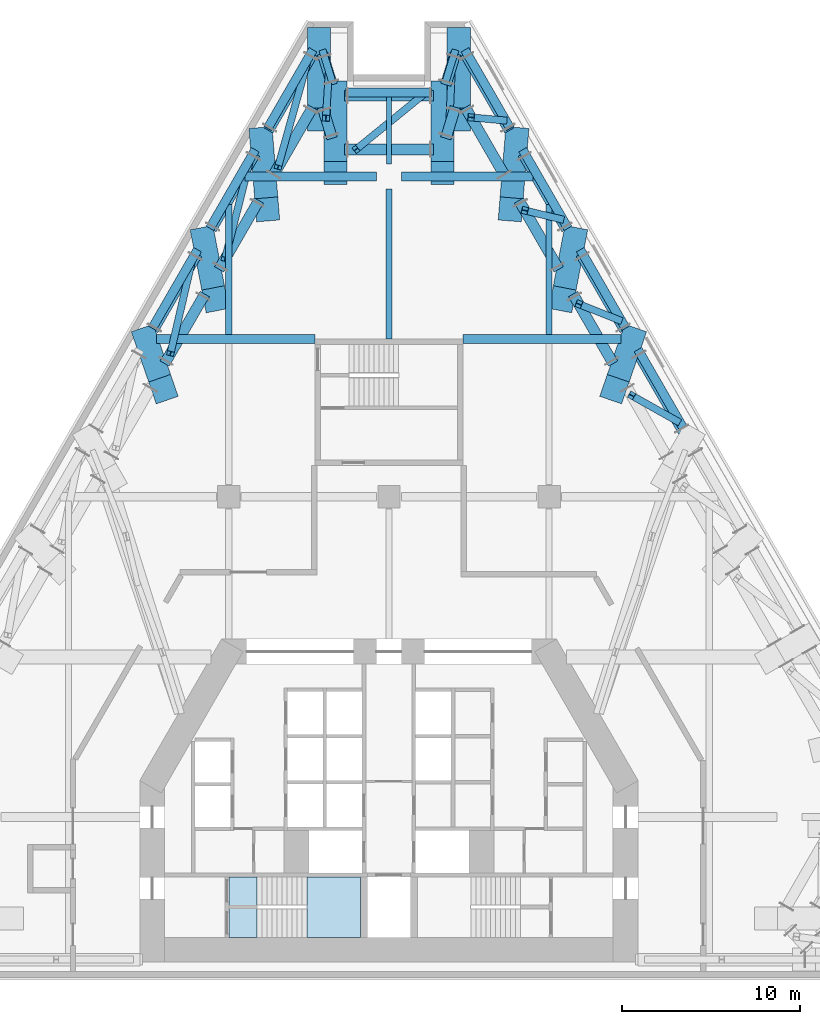
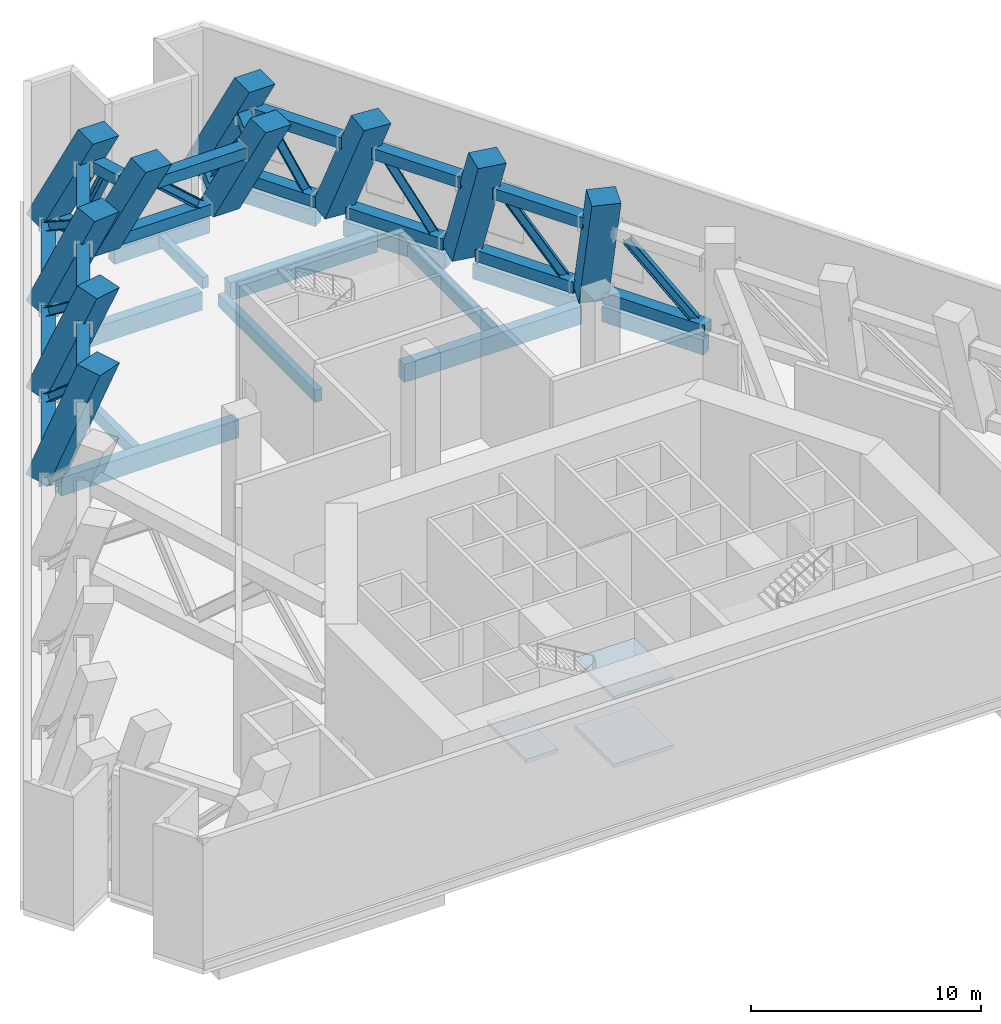
# One storey, part 3 of 12: 39 members, 18 beams, 3 slabs, 1 element without a shape of its own.
"""IFC4 building model written with IfcOpenShell, lengths in metres."""

from ifc_helpers import new_model, si_unit, direction, frame, origin, origin_2d, place, context, subcontext, project, spatial, polyline, rectangle, hollow_rectangle, i_section, outline, extrude, material, layer, layer_set, material_profile, profile_set, type_object, element, aggregate, save


model = new_model("IFC4")

# Units and contexts
model_context = context("Model", 3, precision=1e-05, world=origin(), true_north=direction((0.0, 1.0)))
body_context = subcontext(model_context, "Body", "Model", "MODEL_VIEW")
ifc_project = project(units=[si_unit("LENGTHUNIT", "METRE"), si_unit("AREAUNIT", "SQUARE_METRE"), si_unit("VOLUMEUNIT", "CUBIC_METRE"), si_unit("PLANEANGLEUNIT", "RADIAN"), si_unit("MASSUNIT", "GRAM", prefix="KILO")], contexts=[model_context])

# Site, building, storey
site_placement = place(None, origin())
site = spatial("IfcSite", under=ifc_project, at=site_placement, CompositionType="ELEMENT")
building_placement = place(site_placement, origin())
building = spatial("IfcBuilding", under=site, at=building_placement, Name="Fogline Exchange Tower", CompositionType="ELEMENT")
storey_placement = place(building_placement, frame((0.0, 0.0, 88.89990234375)))
storey = spatial("IfcBuildingStorey", under=building, at=storey_placement, Name="L19", CompositionType="ELEMENT", Elevation=88.89990234375)

# Beams
ifc_material_1 = material(Name="Concrete C40", Category="concrete")
ifc_material_profile_1 = material_profile(ifc_material_1, rectangle(XDim=0.300048828125, YDim=0.60009765625, at=origin_2d()), Name="RC 300x600")
ifc_profile_set_1 = profile_set([ifc_material_profile_1], Name="Concrete C40")
beam_type_1 = type_object("IfcBeamType", Name="B06", PredefinedType="BEAM", material=ifc_profile_set_1)
beam_1_placement = place(storey_placement, frame((0.0, 45.699951171875, -0.599853515625), z_axis=(0.0, 1.0, 0.0), x_axis=(-1.0, 0.0, 0.0)))
element("IfcBeam", 1, at=beam_1_placement, inside=storey, type_object=beam_type_1, Name="SB010", PredefinedType="BEAM", context=body_context, shape_type="SweptSolid", body=[
    extrude(rectangle(XDim=0.300048828125, YDim=0.60009765625, at=origin_2d()), origin(), (0.0, 0.0, 1.0), 3.76171875),
])
ifc_material_profile_2 = material_profile(ifc_material_1, rectangle(XDim=0.5, YDim=0.800048828125, at=origin_2d()), Name="RC 500x800")
ifc_profile_set_2 = profile_set([ifc_material_profile_2], Name="Concrete C40")
beam_type_2 = type_object("IfcBeamType", Name="B10", PredefinedType="BEAM", material=ifc_profile_set_2)
for number, where, z_axis, x_axis, name in (
    (2, (16.542724609375, 30.852783203125, -0.699951171875), (-0.499991921166, 0.866030068051, 0.0), (-0.866030068051, -0.499991921166, 0.0), "RB013"),
    (3, (13.301025390625, 36.467529296875, -0.699951171875), (-0.499991921166, 0.866030068051, 0.0), (-0.866030068051, -0.499991921166, 0.0), "RB014"),
    (4, (10.0595703125, 42.082275390625, -0.699951171875), (-0.499991921166, 0.866030068051, 0.0), (-0.866030068051, -0.499991921166, 0.0), "RB015"),
    (5, (6.81787109375, 47.697021484375, -0.699951171875), (-0.499991921166, 0.866030068051, 0.0), (-0.866030068051, -0.499991921166, 0.0), "RB016"),
):
    element("IfcBeam", number, at=place(storey_placement, frame(where, z_axis=z_axis, x_axis=x_axis)), inside=storey, type_object=beam_type_2, Name=name, PredefinedType="BEAM", context=body_context, shape_type="SweptSolid", body=[
        extrude(rectangle(XDim=0.5, YDim=0.800048828125, at=origin_2d()), origin(), (0.0, 0.0, 1.0), 5.09765625),
    ])
beam_2_placement = place(storey_placement, frame((2.39990234375, 49.711669921875, -0.699951171875), z_axis=(-1.0, 0.0, 0.0), x_axis=(0.0, -1.0, 0.0)))
element("IfcBeam", 6, at=beam_2_placement, inside=storey, type_object=beam_type_2, Name="RB018", PredefinedType="BEAM", context=body_context, shape_type="SweptSolid", body=[
    extrude(rectangle(XDim=0.5, YDim=0.800048828125, at=origin_2d()), origin(), (0.0, 0.0, 1.0), 4.7998046875),
])
for number, where, z_axis, x_axis, name in (
    (7, (-4.26904296875, 52.11181640625, -0.699951171875), (-0.499991921166, -0.866030068051, 0.0), (0.866030068051, -0.499991921166, 0.0), "RB020"),
    (8, (-7.5107421875, 46.4970703125, -0.699951171875), (-0.499991921166, -0.866030068051, 0.0), (0.866030068051, -0.499991921166, 0.0), "RB021"),
    (9, (-10.752197265625, 40.88232421875, -0.699951171875), (-0.499991921166, -0.866030068051, 0.0), (0.866030068051, -0.499991921166, 0.0), "RB022"),
):
    element("IfcBeam", number, at=place(storey_placement, frame(where, z_axis=z_axis, x_axis=x_axis)), inside=storey, type_object=beam_type_2, Name=name, PredefinedType="BEAM", context=body_context, shape_type="SweptSolid", body=[
        extrude(rectangle(XDim=0.5, YDim=0.800048828125, at=origin_2d()), origin(), (0.0, 0.0, 1.0), 5.09765625),
    ])
ifc_material_profile_3 = material_profile(ifc_material_1, rectangle(XDim=0.39990234375, YDim=0.60009765625, at=origin_2d()), Name="RC 400x600")
ifc_profile_set_3 = profile_set([ifc_material_profile_3], Name="Concrete C40")
beam_type_3 = type_object("IfcBeamType", Name="B11", PredefinedType="BEAM", material=ifc_profile_set_3)
for number, where, z_axis, x_axis, name in (
    (10, (3.738037109375, 52.11181640625, -0.599853515625), (-0.293894535925, -0.955837853275, 0.0), (0.955837853275, -0.293894535925, 0.0), "RB017"),
    (11, (-3.1845703125, 50.311767578125, -0.599853515625), (-0.293894535925, 0.955837853275, 0.0), (-0.955837853275, -0.293894535925, 0.0), "RB019"),
):
    element("IfcBeam", number, at=place(storey_placement, frame(where, z_axis=z_axis, x_axis=x_axis)), inside=storey, type_object=beam_type_3, Name=name, PredefinedType="BEAM", context=body_context, shape_type="SweptSolid", body=[
        extrude(rectangle(XDim=0.39990234375, YDim=0.60009765625, at=origin_2d()), origin(), (0.0, 0.0, 1.0), 1.88330078125),
    ])
ifc_material_profile_4 = material_profile(ifc_material_1, rectangle(XDim=0.5, YDim=0.949951171875, at=origin_2d()), Name="RC 500x950")
ifc_profile_set_4 = profile_set([ifc_material_profile_4], Name="Concrete C40")
beam_type_4 = type_object("IfcBeamType", Name="B14", PredefinedType="BEAM", material=ifc_profile_set_4)
for number, where, z_axis, x_axis, name in (
    (12, (-13.047607421875, 35.85693359375, -0.77490234375), (1.0, 0.0, 0.0), (0.0, 1.0, 0.0), "GB011"),
    (13, (4.14990234375, 35.85693359375, -0.77490234375), (1.0, 0.0, 0.0), (0.0, 1.0, 0.0), "GB012"),
):
    element("IfcBeam", number, at=place(storey_placement, frame(where, z_axis=z_axis, x_axis=x_axis)), inside=storey, type_object=beam_type_4, Name=name, PredefinedType="BEAM", context=body_context, shape_type="SweptSolid", body=[
        extrude(rectangle(XDim=0.5, YDim=0.949951171875, at=origin_2d()), origin(), (0.0, 0.0, 1.0), 8.897705078125),
    ])
for number, where, z_axis, x_axis, name in (
    (14, (-8.086181640625, 45.0, -0.77490234375), (1.0, 0.0, 0.0), (0.0, 1.0, 0.0), "GB013"),
    (15, (0.699951171875, 45.0, -0.77490234375), (1.0, 0.0, 0.0), (0.0, 1.0, 0.0), "GB014"),
):
    element("IfcBeam", number, at=place(storey_placement, frame(where, z_axis=z_axis, x_axis=x_axis)), inside=storey, type_object=beam_type_4, Name=name, PredefinedType="BEAM", context=body_context, shape_type="SweptSolid", body=[
        extrude(rectangle(XDim=0.5, YDim=0.949951171875, at=origin_2d()), origin(), (0.0, 0.0, 1.0), 7.38623046875),
    ])
ifc_material_profile_5 = material_profile(ifc_material_1, rectangle(XDim=0.35009765625, YDim=0.64990234375, at=origin_2d()), Name="RC 350x650")
ifc_profile_set_5 = profile_set([ifc_material_profile_5], Name="Concrete C40")
beam_type_5 = type_object("IfcBeamType", Name="B16", PredefinedType="BEAM", material=ifc_profile_set_5)
beam_3_placement = place(storey_placement, frame((-9.0, 36.10693359375, -0.625), z_axis=(0.0, 1.0, 0.0), x_axis=(-1.0, 0.0, 0.0)))
element("IfcBeam", 16, at=beam_3_placement, inside=storey, type_object=beam_type_5, Name="SB007", PredefinedType="BEAM", context=body_context, shape_type="SweptSolid", body=[
    extrude(rectangle(XDim=0.35009765625, YDim=0.64990234375, at=origin_2d()), origin(), (0.0, 0.0, 1.0), 7.310546875),
])
beam_4_placement = place(storey_placement, frame((0.0, 35.85693359375, -0.625), z_axis=(0.0, 1.0, 0.0), x_axis=(-1.0, 0.0, 0.0)))
element("IfcBeam", 17, at=beam_4_placement, inside=storey, type_object=beam_type_5, Name="SB009", PredefinedType="BEAM", context=body_context, shape_type="SweptSolid", body=[
    extrude(rectangle(XDim=0.35009765625, YDim=0.64990234375, at=origin_2d()), origin(), (0.0, 0.0, 1.0), 8.443115234375),
])
beam_5_placement = place(storey_placement, frame((9.0, 36.10693359375, -0.625), z_axis=(0.0, 1.0, 0.0), x_axis=(-1.0, 0.0, 0.0)))
element("IfcBeam", 18, at=beam_5_placement, inside=storey, type_object=beam_type_5, Name="SB013", PredefinedType="BEAM", context=body_context, shape_type="SweptSolid", body=[
    extrude(rectangle(XDim=0.35009765625, YDim=0.64990234375, at=origin_2d()), origin(), (0.0, 0.0, 1.0), 7.310546875),
])

# Members
ifc_material_2 = material(Name="Steel Q355B", Category="steel")
ifc_material_profile_6 = material_profile(ifc_material_2, hollow_rectangle(XDim=0.60009765625, YDim=0.60009765625, WallThickness=0.030029296875, at=origin_2d()), Name="BOX600X600X30")
ifc_profile_set_6 = profile_set([ifc_material_profile_6], Name="Steel Q355B")
member_type_1 = type_object("IfcMemberType", Name="M01", PredefinedType="CHORD", material=ifc_profile_set_6)
member_1_placement = place(storey_placement, frame((16.53466796875, 30.678955078125, 0.300048828125), z_axis=(-0.499986674824, 0.866033096941, 0.0), x_axis=(-0.866033096941, -0.499986674824, 0.0)))
element("IfcMember", 19, at=member_1_placement, inside=storey, type_object=member_type_1, Name="Belt truss chord BT12-1-BC", PredefinedType="CHORD", context=body_context, shape_type="SweptSolid", body=[
    extrude(hollow_rectangle(XDim=0.60009765625, YDim=0.60009765625, WallThickness=0.030029296875, at=origin_2d()), origin(), (0.0, 0.0, 1.0), 5.145751953125),
])
member_2_placement = place(storey_placement, frame((13.251953125, 36.36474609375, 0.300048828125), z_axis=(-0.4999903827, 0.866030956264, 0.0), x_axis=(-0.866030956264, -0.4999903827, 0.0)))
element("IfcMember", 20, at=member_2_placement, inside=storey, type_object=member_type_1, Name="Belt truss chord BT13-1-BC", PredefinedType="CHORD", context=body_context, shape_type="SweptSolid", body=[
    extrude(hollow_rectangle(XDim=0.60009765625, YDim=0.60009765625, WallThickness=0.030029296875, at=origin_2d()), origin(), (0.0, 0.0, 1.0), 4.94287109375),
])
member_3_placement = place(storey_placement, frame((12.60009765625, 34.483642578125, 5.10009765625), z_axis=(-0.500000588723, 0.866025063885, 0.0), x_axis=(-0.866025063885, -0.500000588723, 0.0)))
element("IfcMember", 21, at=member_3_placement, inside=storey, type_object=member_type_1, Name="Belt truss chord BT13-1-TC", PredefinedType="CHORD", context=body_context, shape_type="SweptSolid", body=[
    extrude(hollow_rectangle(XDim=0.60009765625, YDim=0.60009765625, WallThickness=0.030029296875, at=origin_2d()), origin(), (0.0, 0.0, 1.0), 4.50830078125),
])
member_4_placement = place(storey_placement, frame((9.97705078125, 42.037109375, 0.300048828125), z_axis=(-0.500002801628, 0.866023786258, 0.0), x_axis=(-0.866023786258, -0.500002801628, 0.0)))
element("IfcMember", 22, at=member_4_placement, inside=storey, type_object=member_type_1, Name="Belt truss chord BT14-1-BC", PredefinedType="CHORD", context=body_context, shape_type="SweptSolid", body=[
    extrude(hollow_rectangle(XDim=0.60009765625, YDim=0.60009765625, WallThickness=0.030029296875, at=origin_2d()), origin(), (0.0, 0.0, 1.0), 4.89990234375),
])
member_5_placement = place(storey_placement, frame((9.54248046875, 39.779541015625, 5.10009765625), z_axis=(-0.499990639951, 0.866030807744, 0.0), x_axis=(-0.866030807744, -0.499990639951, 0.0)))
element("IfcMember", 23, at=member_5_placement, inside=storey, type_object=member_type_1, Name="Belt truss chord BT14-1-TC", PredefinedType="CHORD", context=body_context, shape_type="SweptSolid", body=[
    extrude(hollow_rectangle(XDim=0.60009765625, YDim=0.60009765625, WallThickness=0.030029296875, at=origin_2d()), origin(), (0.0, 0.0, 1.0), 4.46533203125),
])
member_6_placement = place(storey_placement, frame((6.7744140625, 47.584228515625, 0.300048828125), z_axis=(-0.500018831924, 0.866014530895, 0.0), x_axis=(-0.866014530895, -0.500018831924, 0.0)))
element("IfcMember", 24, at=member_6_placement, inside=storey, type_object=member_type_1, Name="Belt truss chord BT15-1-BC", PredefinedType="CHORD", context=body_context, shape_type="SweptSolid", body=[
    extrude(hollow_rectangle(XDim=0.60009765625, YDim=0.60009765625, WallThickness=0.030029296875, at=origin_2d()), origin(), (0.0, 0.0, 1.0), 4.967529296875),
])
member_7_placement = place(storey_placement, frame((6.55712890625, 44.950439453125, 5.10009765625), z_axis=(-0.500008388397, 0.866020560687, 0.0), x_axis=(-0.866020560687, -0.500008388397, 0.0)))
element("IfcMember", 25, at=member_7_placement, inside=storey, type_object=member_type_1, Name="Belt truss chord BT15-1-TC", PredefinedType="CHORD", context=body_context, shape_type="SweptSolid", body=[
    extrude(hollow_rectangle(XDim=0.60009765625, YDim=0.60009765625, WallThickness=0.030029296875, at=origin_2d()), origin(), (0.0, 0.0, 1.0), 4.533203125),
])
for number, where, z_axis, x_axis, name in (
    (26, (3.730712890625, 51.899658203125, 0.300048828125), (-0.293926749473, -0.955827947878, 0.0), (0.955827947878, -0.293926749473, 0.0), "Belt truss chord BT16-1-BC"),
    (27, (3.730712890625, 48.8896484375, 5.10009765625), (-0.293926749473, -0.955827947878, 0.0), (0.955827947878, -0.293926749473, 0.0), "Belt truss chord BT16-1-TC"),
):
    element("IfcMember", number, at=place(storey_placement, frame(where, z_axis=z_axis, x_axis=x_axis)), inside=storey, type_object=member_type_1, Name=name, PredefinedType="CHORD", context=body_context, shape_type="SweptSolid", body=[
        extrude(hollow_rectangle(XDim=0.60009765625, YDim=0.60009765625, WallThickness=0.030029296875, at=origin_2d()), origin(), (0.0, 0.0, 1.0), 1.833251953125),
    ])
for number, where, z_axis, x_axis, name in (
    (28, (2.5, 49.5234375, 0.300048828125), (-1.0, 0.0, 0.0), (0.0, -1.0, 0.0), "Belt truss chord BT17-1-BC"),
    (29, (2.5, 46.513427734375, 5.10009765625), (-1.0, 0.0, 0.0), (0.0, -1.0, 0.0), "Belt truss chord BT17-1-TC"),
):
    element("IfcMember", number, at=place(storey_placement, frame(where, z_axis=z_axis, x_axis=x_axis)), inside=storey, type_object=member_type_1, Name=name, PredefinedType="CHORD", context=body_context, shape_type="SweptSolid", body=[
        extrude(hollow_rectangle(XDim=0.60009765625, YDim=0.60009765625, WallThickness=0.030029296875, at=origin_2d()), origin(), (0.0, 0.0, 1.0), 5.0),
    ])
for number, where, z_axis, x_axis, name in (
    (30, (-3.19189453125, 50.1474609375, 0.300048828125), (-0.293926749473, 0.955827947878, 0.0), (-0.955827947878, -0.293926749473, 0.0), "Belt truss chord BT18-1-BC"),
    (31, (-3.19189453125, 47.137451171875, 5.10009765625), (-0.293926749473, 0.955827947878, 0.0), (-0.955827947878, -0.293926749473, 0.0), "Belt truss chord BT18-1-TC"),
):
    element("IfcMember", number, at=place(storey_placement, frame(where, z_axis=z_axis, x_axis=x_axis)), inside=storey, type_object=member_type_1, Name=name, PredefinedType="CHORD", context=body_context, shape_type="SweptSolid", body=[
        extrude(hollow_rectangle(XDim=0.60009765625, YDim=0.60009765625, WallThickness=0.030029296875, at=origin_2d()), origin(), (0.0, 0.0, 1.0), 1.833251953125),
    ])
member_8_placement = place(storey_placement, frame((-4.29052734375, 51.88623046875, 0.300048828125), z_axis=(-0.500018831924, -0.866014530895, 0.0), x_axis=(0.866014530895, -0.500018831924, 0.0)))
element("IfcMember", 32, at=member_8_placement, inside=storey, type_object=member_type_1, Name="Belt truss chord BT19-1-BC", PredefinedType="CHORD", context=body_context, shape_type="SweptSolid", body=[
    extrude(hollow_rectangle(XDim=0.60009765625, YDim=0.60009765625, WallThickness=0.030029296875, at=origin_2d()), origin(), (0.0, 0.0, 1.0), 4.967529296875),
])
member_9_placement = place(storey_placement, frame((-4.29052734375, 48.876220703125, 5.10009765625), z_axis=(-0.500008388397, -0.866020560687, 0.0), x_axis=(0.866020560687, -0.500008388397, 0.0)))
element("IfcMember", 33, at=member_9_placement, inside=storey, type_object=member_type_1, Name="Belt truss chord BT19-1-TC", PredefinedType="CHORD", context=body_context, shape_type="SweptSolid", body=[
    extrude(hollow_rectangle(XDim=0.60009765625, YDim=0.60009765625, WallThickness=0.030029296875, at=origin_2d()), origin(), (0.0, 0.0, 1.0), 4.533203125),
])
member_10_placement = place(storey_placement, frame((-7.527099609375, 46.280517578125, 0.300048828125), z_axis=(-0.500002801628, -0.866023786258, 0.0), x_axis=(0.866023786258, -0.500002801628, 0.0)))
element("IfcMember", 34, at=member_10_placement, inside=storey, type_object=member_type_1, Name="Belt truss chord BT20-1-BC", PredefinedType="CHORD", context=body_context, shape_type="SweptSolid", body=[
    extrude(hollow_rectangle(XDim=0.60009765625, YDim=0.60009765625, WallThickness=0.030029296875, at=origin_2d()), origin(), (0.0, 0.0, 1.0), 4.89990234375),
])
member_11_placement = place(storey_placement, frame((-7.309814453125, 43.646728515625, 5.10009765625), z_axis=(-0.499990639951, -0.866030807744, 0.0), x_axis=(0.866030807744, -0.499990639951, 0.0)))
element("IfcMember", 35, at=member_11_placement, inside=storey, type_object=member_type_1, Name="Belt truss chord BT20-1-TC", PredefinedType="CHORD", context=body_context, shape_type="SweptSolid", body=[
    extrude(hollow_rectangle(XDim=0.60009765625, YDim=0.60009765625, WallThickness=0.030029296875, at=origin_2d()), origin(), (0.0, 0.0, 1.0), 4.46533203125),
])
member_12_placement = place(storey_placement, frame((-10.780517578125, 40.6455078125, 0.300048828125), z_axis=(-0.4999903827, -0.866030956264, 0.0), x_axis=(0.866030956264, -0.4999903827, 0.0)))
element("IfcMember", 36, at=member_12_placement, inside=storey, type_object=member_type_1, Name="Belt truss chord BT21-1-BC", PredefinedType="CHORD", context=body_context, shape_type="SweptSolid", body=[
    extrude(hollow_rectangle(XDim=0.60009765625, YDim=0.60009765625, WallThickness=0.030029296875, at=origin_2d()), origin(), (0.0, 0.0, 1.0), 4.94287109375),
])
member_13_placement = place(storey_placement, frame((-10.345947265625, 38.387939453125, 5.10009765625), z_axis=(-0.500000588723, -0.866025063885, 0.0), x_axis=(0.866025063885, -0.500000588723, 0.0)))
element("IfcMember", 37, at=member_13_placement, inside=storey, type_object=member_type_1, Name="Belt truss chord BT21-1-TC", PredefinedType="CHORD", context=body_context, shape_type="SweptSolid", body=[
    extrude(hollow_rectangle(XDim=0.60009765625, YDim=0.60009765625, WallThickness=0.030029296875, at=origin_2d()), origin(), (0.0, 0.0, 1.0), 4.50830078125),
])
ifc_material_profile_7 = material_profile(ifc_material_2, i_section(OverallWidth=0.39990234375, OverallDepth=0.39990234375, WebThickness=0.012939453125, FlangeThickness=0.02099609375, FilletRadius=0.02197265625, at=origin_2d()), Name="HW400X400X13X21")
ifc_profile_set_7 = profile_set([ifc_material_profile_7], Name="Steel Q355B")
member_type_2 = type_object("IfcMemberType", Name="M02", PredefinedType="BRACE", material=ifc_profile_set_7)
member_14_placement = place(storey_placement, frame((16.209716796875, 31.241943359375, 0.60009765625), z_axis=(-0.501396702831, 0.28221987749, 0.817895645629), x_axis=(-0.490504458213, -0.871438681993, 0.0)))
element("IfcMember", 38, at=member_14_placement, inside=storey, type_object=member_type_2, Name="Belt truss diagonal BT12-1-D1", PredefinedType="BRACE", context=body_context, shape_type="SweptSolid", body=[
    extrude(i_section(OverallWidth=0.39990234375, OverallDepth=0.39990234375, WebThickness=0.012939453125, FlangeThickness=0.02099609375, FilletRadius=0.02197265625, at=origin_2d()), origin(), (0.0, 0.0, 1.0), 5.135009765625),
])
member_15_placement = place(storey_placement, frame((12.927001953125, 36.927734375, 0.60009765625), z_axis=(-0.465056475133, 0.184945627758, 0.865746839272), x_axis=(-0.369534892477, -0.929216854799, 0.0)))
element("IfcMember", 39, at=member_15_placement, inside=storey, type_object=member_type_2, Name="Belt truss diagonal BT13-1-D1", PredefinedType="BRACE", context=body_context, shape_type="SweptSolid", body=[
    extrude(i_section(OverallWidth=0.39990234375, OverallDepth=0.39990234375, WebThickness=0.012939453125, FlangeThickness=0.02099609375, FilletRadius=0.02197265625, at=origin_2d()), origin(), (0.0, 0.0, 1.0), 4.851318359375),
])
member_16_placement = place(storey_placement, frame((9.652099609375, 42.599853515625, 0.60009765625), z_axis=(-0.430649331376, 0.103349585395, 0.896582409254), x_axis=(-0.233359599948, -0.97239050649, 0.0)))
element("IfcMember", 40, at=member_16_placement, inside=storey, type_object=member_type_2, Name="Belt truss diagonal BT14-1-D1", PredefinedType="BRACE", context=body_context, shape_type="SweptSolid", body=[
    extrude(i_section(OverallWidth=0.39990234375, OverallDepth=0.39990234375, WebThickness=0.012939453125, FlangeThickness=0.02099609375, FilletRadius=0.02197265625, at=origin_2d()), origin(), (0.0, 0.0, 1.0), 4.684326171875),
])
member_17_placement = place(storey_placement, frame((6.449462890625, 48.147216796875, 0.60009765625), z_axis=(-0.399916466295, 0.03620117107, 0.915836391065), x_axis=(-0.090153218476, -0.995927907631, 0.0)))
element("IfcMember", 41, at=member_17_placement, inside=storey, type_object=member_type_2, Name="Belt truss diagonal BT15-1-D1", PredefinedType="BRACE", context=body_context, shape_type="SweptSolid", body=[
    extrude(i_section(OverallWidth=0.39990234375, OverallDepth=0.39990234375, WebThickness=0.012939453125, FlangeThickness=0.02099609375, FilletRadius=0.02197265625, at=origin_2d()), origin(), (0.0, 0.0, 1.0), 4.5859375),
])
member_18_placement = place(storey_placement, frame((3.539794921875, 51.2783203125, 0.60009765625), z_axis=(-0.028636448162, -0.642026495647, 0.766147461475), x_axis=(0.999006758199, -0.044558916865, 0.0)))
element("IfcMember", 42, at=member_18_placement, inside=storey, type_object=member_type_2, Name="Belt truss diagonal BT16-1-D1", PredefinedType="BRACE", context=body_context, shape_type="SweptSolid", body=[
    extrude(i_section(OverallWidth=0.39990234375, OverallDepth=0.39990234375, WebThickness=0.012939453125, FlangeThickness=0.02099609375, FilletRadius=0.02197265625, at=origin_2d()), origin(), (0.0, 0.0, 1.0), 5.48193359375),
])
member_19_placement = place(storey_placement, frame((1.85009765625, 49.5234375, 0.60009765625), z_axis=(-0.582212201764, -0.473614029793, 0.660846958758), x_axis=(0.631047271441, -0.775744378779, 0.0)))
element("IfcMember", 43, at=member_19_placement, inside=storey, type_object=member_type_2, Name="Belt truss diagonal BT17-1-D1", PredefinedType="BRACE", context=body_context, shape_type="SweptSolid", body=[
    extrude(i_section(OverallWidth=0.39990234375, OverallDepth=0.39990234375, WebThickness=0.012939453125, FlangeThickness=0.02099609375, FilletRadius=0.02197265625, at=origin_2d()), origin(), (0.0, 0.0, 1.0), 6.35546875),
])
member_20_placement = place(storey_placement, frame((-3.3828125, 50.768798828125, 0.60009765625), z_axis=(-0.032099674179, -0.511298387154, 0.858803569049), x_axis=(0.998035097891, -0.06265734895, 0.0)))
element("IfcMember", 44, at=member_20_placement, inside=storey, type_object=member_type_2, Name="Belt truss diagonal BT18-1-D1", PredefinedType="BRACE", context=body_context, shape_type="SweptSolid", body=[
    extrude(i_section(OverallWidth=0.39990234375, OverallDepth=0.39990234375, WebThickness=0.012939453125, FlangeThickness=0.02099609375, FilletRadius=0.02197265625, at=origin_2d()), origin(), (0.0, 0.0, 1.0), 4.890380859375),
])
member_21_placement = place(storey_placement, frame((-4.615478515625, 51.3232421875, 0.60009765625), z_axis=(-0.219990129669, -0.790562536355, 0.571502597509), x_axis=(0.9633954292, -0.268084402747, 0.0)))
element("IfcMember", 45, at=member_21_placement, inside=storey, type_object=member_type_2, Name="Belt truss diagonal BT19-1-D1", PredefinedType="BRACE", context=body_context, shape_type="SweptSolid", body=[
    extrude(i_section(OverallWidth=0.39990234375, OverallDepth=0.39990234375, WebThickness=0.012939453125, FlangeThickness=0.02099609375, FilletRadius=0.02197265625, at=origin_2d()), origin(), (0.0, 0.0, 1.0), 7.348876953125),
])
member_22_placement = place(storey_placement, frame((-7.85205078125, 45.717529296875, 0.60009765625), z_axis=(-0.196279067455, -0.772658006105, 0.603716931418), x_axis=(0.969216263973, -0.246210953554, 0.0)))
element("IfcMember", 46, at=member_22_placement, inside=storey, type_object=member_type_2, Name="Belt truss diagonal BT20-1-D1", PredefinedType="BRACE", context=body_context, shape_type="SweptSolid", body=[
    extrude(i_section(OverallWidth=0.39990234375, OverallDepth=0.39990234375, WebThickness=0.012939453125, FlangeThickness=0.02099609375, FilletRadius=0.02197265625, at=origin_2d()), origin(), (0.0, 0.0, 1.0), 6.956787109375),
])
member_23_placement = place(storey_placement, frame((-11.10546875, 40.08251953125, 0.60009765625), z_axis=(-0.175598054506, -0.756050233426, 0.630518332636), x_axis=(0.974072676799, -0.226235320659, 0.0)))
element("IfcMember", 47, at=member_23_placement, inside=storey, type_object=member_type_2, Name="Belt truss diagonal BT21-1-D1", PredefinedType="BRACE", context=body_context, shape_type="SweptSolid", body=[
    extrude(i_section(OverallWidth=0.39990234375, OverallDepth=0.39990234375, WebThickness=0.012939453125, FlangeThickness=0.02099609375, FilletRadius=0.02197265625, at=origin_2d()), origin(), (0.0, 0.0, 1.0), 6.6611328125),
])
ifc_material_3 = material(Name="Concrete C70", Category="concrete")
ifc_material_profile_8 = material_profile(ifc_material_3, rectangle(XDim=1.300048828125, YDim=1.300048828125, at=origin_2d()), Name="RC 1300x1300")
ifc_profile_set_8 = profile_set([ifc_material_profile_8], Name="Concrete C70")
member_type_3 = type_object("IfcMemberType", Name="RP01", PredefinedType="POST", material=ifc_profile_set_8)
member_24_placement = place(storey_placement, frame((13.647705078125, 35.86767578125, 0.0), z_axis=(0.0, 0.0, 1.0), x_axis=(0.944889817574, -0.327388504143, 0.0)))
element("IfcMember", 48, at=member_24_placement, inside=storey, type_object=member_type_3, Name="E5", PredefinedType="POST", context=body_context, shape_type="SweptSolid", body=[
    extrude(rectangle(XDim=1.300048828125, YDim=1.300048828125, at=origin_2d()), origin(), (0.0, -0.38314282268, 0.923689112975), 7.794921875),
])
member_25_placement = place(storey_placement, frame((10.406005859375, 41.482421875, 0.0), z_axis=(0.0, 0.0, 1.0), x_axis=(0.981973610728, -0.18901806219, 0.0)))
element("IfcMember", 49, at=member_25_placement, inside=storey, type_object=member_type_3, Name="E6", PredefinedType="POST", context=body_context, shape_type="SweptSolid", body=[
    extrude(rectangle(XDim=1.300048828125, YDim=1.300048828125, at=origin_2d()), origin(), (0.0, -0.431972216466, 0.9018869132), 7.9833984375),
])
member_26_placement = place(storey_placement, frame((7.164306640625, 47.096923828125, 0.0), z_axis=(0.0, 0.0, 1.0), x_axis=(0.996614224641, -0.082219749715, 0.0)))
element("IfcMember", 50, at=member_26_placement, inside=storey, type_object=member_type_3, Name="E7", PredefinedType="POST", context=body_context, shape_type="SweptSolid", body=[
    extrude(rectangle(XDim=1.300048828125, YDim=1.300048828125, at=origin_2d()), origin(), (0.0, -0.482292129795, 0.876010446021), 8.21923828125),
])
for number, where, z_axis, x_axis, name in (
    (51, (3.922607421875, 52.711669921875, 0.0), (0.0, 0.0, 1.0), (1.0, 0.0, 0.0), "N-a"),
    (52, (3.0, 49.711669921875, 0.0), (0.0, 0.0, 1.0), (1.0, 0.0, 0.0), "N-p4"),
    (53, (-3.0, 49.711669921875, 0.0), (0.0, 0.0, 1.0), (1.0, 0.0, 0.0), "N-p3"),
    (54, (-3.922607421875, 52.711669921875, 0.0), (0.0, 0.0, 1.0), (1.0, 0.0, 0.0), "N-b"),
):
    element("IfcMember", number, at=place(storey_placement, frame(where, z_axis=z_axis, x_axis=x_axis)), inside=storey, type_object=member_type_3, Name=name, PredefinedType="POST", context=body_context, shape_type="SweptSolid", body=[
        extrude(rectangle(XDim=1.300048828125, YDim=1.300048828125, at=origin_2d()), origin(), (0.0, -0.531248149669, 0.847216267238), 8.49853515625),
    ])
member_27_placement = place(storey_placement, frame((-7.164306640625, 47.096923828125, 0.0), z_axis=(0.0, 0.0, 1.0), x_axis=(0.996614224641, 0.082219749715, 0.0)))
element("IfcMember", 55, at=member_27_placement, inside=storey, type_object=member_type_3, Name="W1", PredefinedType="POST", context=body_context, shape_type="SweptSolid", body=[
    extrude(rectangle(XDim=1.300048828125, YDim=1.300048828125, at=origin_2d()), origin(), (0.0, -0.482292129795, 0.876010446021), 8.21923828125),
])
member_28_placement = place(storey_placement, frame((-10.406005859375, 41.482421875, 0.0), z_axis=(0.0, 0.0, 1.0), x_axis=(0.981973610728, 0.18901806219, 0.0)))
element("IfcMember", 56, at=member_28_placement, inside=storey, type_object=member_type_3, Name="W2", PredefinedType="POST", context=body_context, shape_type="SweptSolid", body=[
    extrude(rectangle(XDim=1.300048828125, YDim=1.300048828125, at=origin_2d()), origin(), (0.0, -0.431972216466, 0.9018869132), 7.9833984375),
])
member_29_placement = place(storey_placement, frame((-13.647705078125, 35.86767578125, 0.0), z_axis=(0.0, 0.0, 1.0), x_axis=(0.944889817574, 0.327388504143, 0.0)))
element("IfcMember", 57, at=member_29_placement, inside=storey, type_object=member_type_3, Name="W3", PredefinedType="POST", context=body_context, shape_type="SweptSolid", body=[
    extrude(rectangle(XDim=1.300048828125, YDim=1.300048828125, at=origin_2d()), origin(), (0.0, -0.38314282268, 0.923689112975), 7.794921875),
])

# Stair, slabs
stair_type = type_object("IfcStairType", Name="STR44-1636", PredefinedType="HALF_TURN_STAIR", material=ifc_material_1)
stair_placement = place(storey_placement, origin())
stair = element("IfcStair", 58, at=stair_placement, inside=storey, type_object=stair_type, Name="Stair ST1", PredefinedType="HALF_TURN_STAIR")
ifc_layer = layer(ifc_material_1, 0.199951171875)
ifc_layer_set = layer_set([ifc_layer], Name="SL200")
slab_type = type_object("IfcSlabType", Name="SL200", PredefinedType="LANDING", material=ifc_layer_set)
slab_1_placement = place(storey_placement, frame((0.0, 0.0, 1.60009765625)))
slab_1 = element("IfcSlab", 59, at=slab_1_placement, type_object=slab_type, Name="ST1 landing 1", PredefinedType="LANDING", context=body_context, shape_type="SweptSolid", body=[
    extrude(outline(polyline([(-4.60009765625, 2.25), (-1.60009765625, 2.25), (-1.60009765625, 5.64990234375), (-4.60009765625, 5.64990234375), (-4.60009765625, 2.25)])), origin(), (0.0, 0.0, 1.0), 0.199951171875),
])
slab_2_placement = place(storey_placement, frame((0.0, 0.0, 3.400146484375)))
slab_2 = element("IfcSlab", 60, at=slab_2_placement, type_object=slab_type, Name="ST1 landing 2", PredefinedType="LANDING", context=body_context, shape_type="SweptSolid", body=[
    extrude(outline(polyline([(-9.0, 2.25), (-7.39990234375, 2.25), (-7.39990234375, 5.64990234375), (-9.0, 5.64990234375), (-9.0, 2.25)])), origin(), (0.0, 0.0, 1.0), 0.199951171875),
])
slab_3_placement = place(storey_placement, frame((0.0, 0.0, 5.2001953125)))
slab_3 = element("IfcSlab", 61, at=slab_3_placement, type_object=slab_type, Name="ST1 landing 3", PredefinedType="LANDING", context=body_context, shape_type="SweptSolid", body=[
    extrude(outline(polyline([(-4.60009765625, 2.25), (-1.60009765625, 2.25), (-1.60009765625, 5.64990234375), (-4.60009765625, 5.64990234375), (-4.60009765625, 2.25)])), origin(), (0.0, 0.0, 1.0), 0.199951171875),
])
aggregate(stair, [slab_1, slab_2, slab_3])

save(model, "model.ifc")
